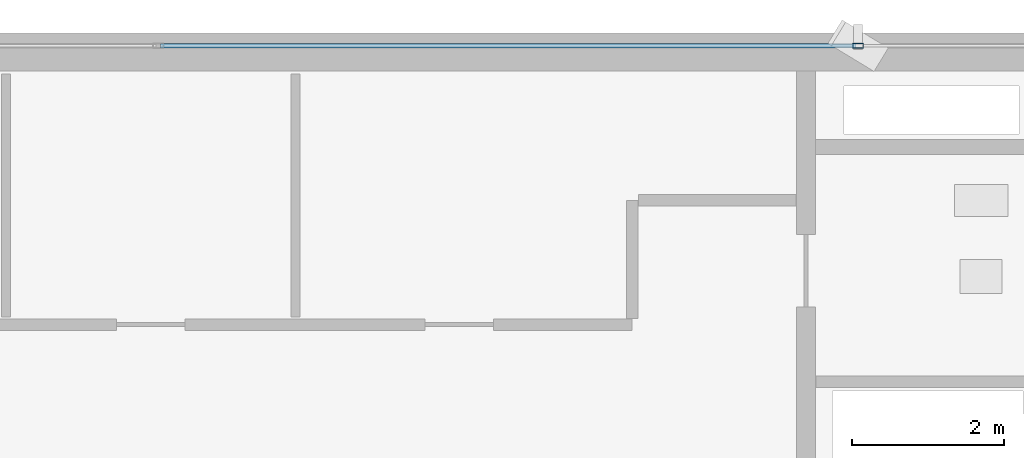
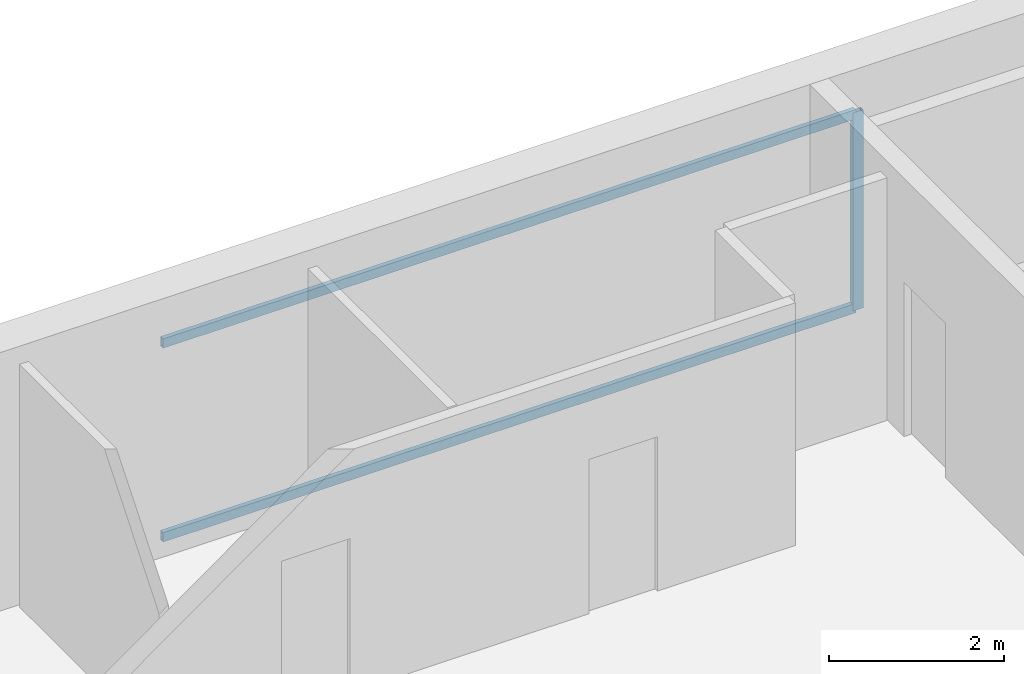
# One storey, part 21 of 29: 3 members, 1 element without a shape of its own.
"""IFC4 building model written with IfcOpenShell, lengths in metres."""

from ifc_helpers import new_model, si_unit, direction, frame, origin, origin_2d, place, context, subcontext, project, spatial, hollow_rectangle, extrude, source, transform, mapped, material, layer, layer_set, material_profile, profile_set, type_object, element, aggregate, save


model = new_model("IFC4")

# Units and contexts
model_context = context("Model", 3, precision=1e-05, world=origin(), true_north=direction((0.0, 1.0)))
body_context = subcontext(model_context, "Body", "Model", "MODEL_VIEW")
ifc_project = project(units=[si_unit("LENGTHUNIT", "METRE"), si_unit("AREAUNIT", "SQUARE_METRE"), si_unit("VOLUMEUNIT", "CUBIC_METRE"), si_unit("PLANEANGLEUNIT", "RADIAN"), si_unit("MASSUNIT", "GRAM", prefix="KILO")], contexts=[model_context])

# Site, building, storey
site_placement = place(None, origin())
site = spatial("IfcSite", under=ifc_project, at=site_placement, CompositionType="ELEMENT")
building_placement = place(site_placement, origin())
building = spatial("IfcBuilding", under=site, at=building_placement, Name="Sumidabori Civic Tower", CompositionType="ELEMENT")
storey_placement = place(building_placement, frame((0.0, 0.0, 207.199951171875)))
storey = spatial("IfcBuildingStorey", under=building, at=storey_placement, Name="L53", CompositionType="ELEMENT", Elevation=207.199951171875)

# Curtain wall, members
ifc_material = material(Name="Anodised Bronze Aluminium AW-6063-T6", Category="aluminium")
ifc_layer = layer(ifc_material, 0.179931640625, Name="Anodised Bronze Aluminium AW-6063-T6")
ifc_layer_set = layer_set([ifc_layer], Name="Anodised Bronze Aluminium AW-6063-T6")
curtain_wall_type = type_object("IfcCurtainWallType", Name="CW-SYS-5", PredefinedType="NOTDEFINED", material=ifc_layer_set)
curtain_wall_placement = place(storey_placement, origin())
curtain_wall = element("IfcCurtainWall", 1, at=curtain_wall_placement, inside=storey, type_object=curtain_wall_type, Name="Curtain Wall CW:L53:R13", PredefinedType="NOTDEFINED")
ifc_material_profile_1 = material_profile(ifc_material, hollow_rectangle(XDim=0.06005859375, YDim=0.139892578125, WallThickness=0.0048828125, at=origin_2d()), Name="ALU MULLION 140x60")
ifc_profile_set_1 = profile_set([ifc_material_profile_1], Name="Anodised Bronze Aluminium AW-6063-T6")
member_type_1 = type_object("IfcMemberType", Name="CW-MUL-140", PredefinedType="MULLION", material=ifc_profile_set_1)
shared_shape_1 = source(origin(), body_context, "Body", "SweptSolid", [
    extrude(hollow_rectangle(XDim=0.06005859375, YDim=0.139892578125, WallThickness=0.0048828125, at=origin_2d()), origin(), (0.0, 0.0, 1.0), 2.760009765625),
])
member_1_placement = place(storey_placement, frame((9.18505859375, 23.8798828125, 0.0), z_axis=(0.0, 0.0, 1.0), x_axis=(0.0, -1.0, 0.0)))
member_1 = element("IfcMember", 2, at=member_1_placement, type_object=member_type_1, Name="CW-5 mullion 2", PredefinedType="MULLION", context=body_context, shape_type="MappedRepresentation", body=[
    mapped(shared_shape_1, transform((0.0, 0.0, 0.0), x_axis=(1.0, 0.0, 0.0), y_axis=(0.0, 1.0, 0.0), z_axis=(0.0, 0.0, 1.0), scale=1.0)),
])
ifc_material_profile_2 = material_profile(ifc_material, hollow_rectangle(XDim=0.06005859375, YDim=0.1298828125, WallThickness=0.0048828125, at=origin_2d()), Name="ALU TRANSOM 130x60")
ifc_profile_set_2 = profile_set([ifc_material_profile_2], Name="Anodised Bronze Aluminium AW-6063-T6")
member_type_2 = type_object("IfcMemberType", Name="CW-TRN-130", PredefinedType="USERDEFINED", material=ifc_profile_set_2)
shared_shape_2 = source(origin(), body_context, "Body", "SweptSolid", [
    extrude(hollow_rectangle(XDim=0.06005859375, YDim=0.1298828125, WallThickness=0.0048828125, at=origin_2d()), origin(), (0.0, 0.0, 1.0), 9.125),
])
member_2_placement = place(storey_placement, frame((9.155029296875, 23.8798828125, 0.030029296875), z_axis=(-1.0, 0.0, 0.0), x_axis=(0.0, -1.0, 0.0)))
member_2 = element("IfcMember", 3, at=member_2_placement, type_object=member_type_2, Name="CW-5 transom 2.1", ObjectType="TRANSOM", PredefinedType="USERDEFINED", context=body_context, shape_type="MappedRepresentation", body=[
    mapped(shared_shape_2, transform((0.0, 0.0, 0.0), x_axis=(1.0, 0.0, 0.0), y_axis=(0.0, 1.0, 0.0), z_axis=(0.0, 0.0, 1.0), scale=1.0)),
])
member_3_placement = place(storey_placement, frame((9.155029296875, 23.8798828125, 2.72998046875), z_axis=(-1.0, 0.0, 0.0), x_axis=(0.0, -1.0, 0.0)))
member_3 = element("IfcMember", 4, at=member_3_placement, type_object=member_type_2, Name="CW-5 transom 2.2", ObjectType="TRANSOM", PredefinedType="USERDEFINED", context=body_context, shape_type="MappedRepresentation", body=[
    mapped(shared_shape_2, transform((0.0, 0.0, 0.0), x_axis=(1.0, 0.0, 0.0), y_axis=(0.0, 1.0, 0.0), z_axis=(0.0, 0.0, 1.0), scale=1.0)),
])
aggregate(curtain_wall, [member_1, member_2, member_3])

save(model, "model.ifc")
